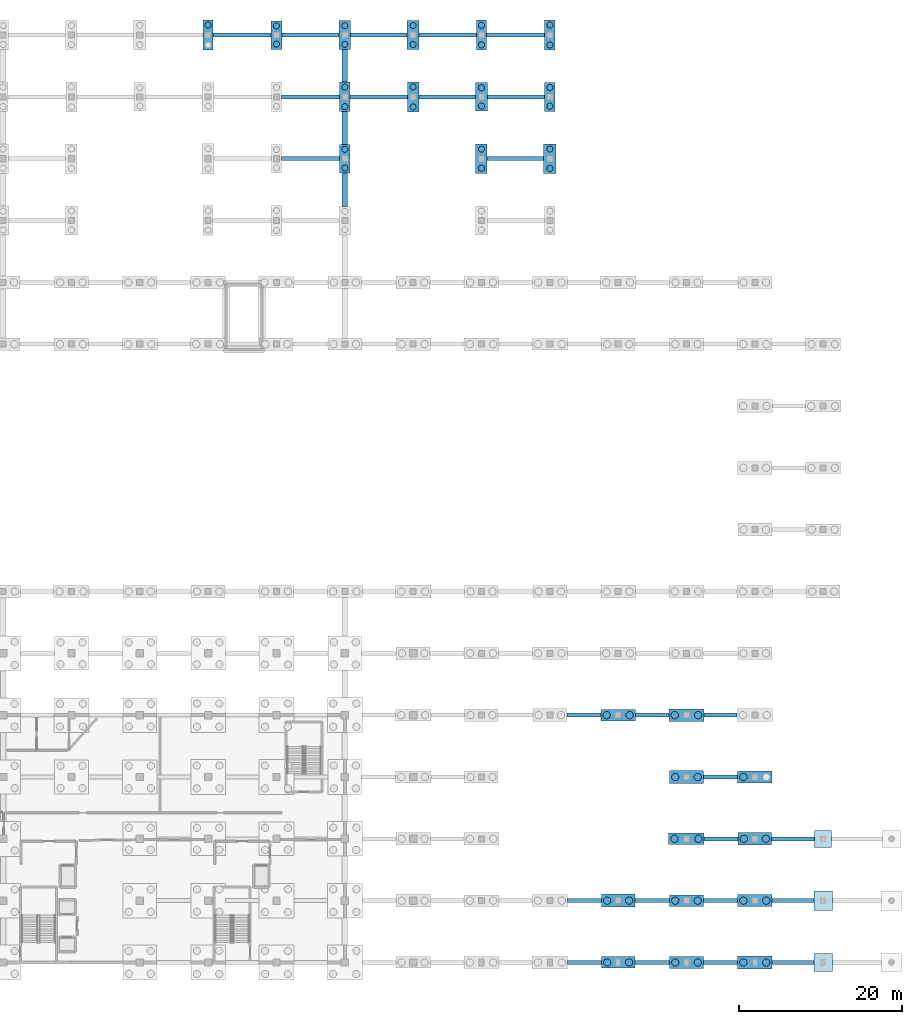
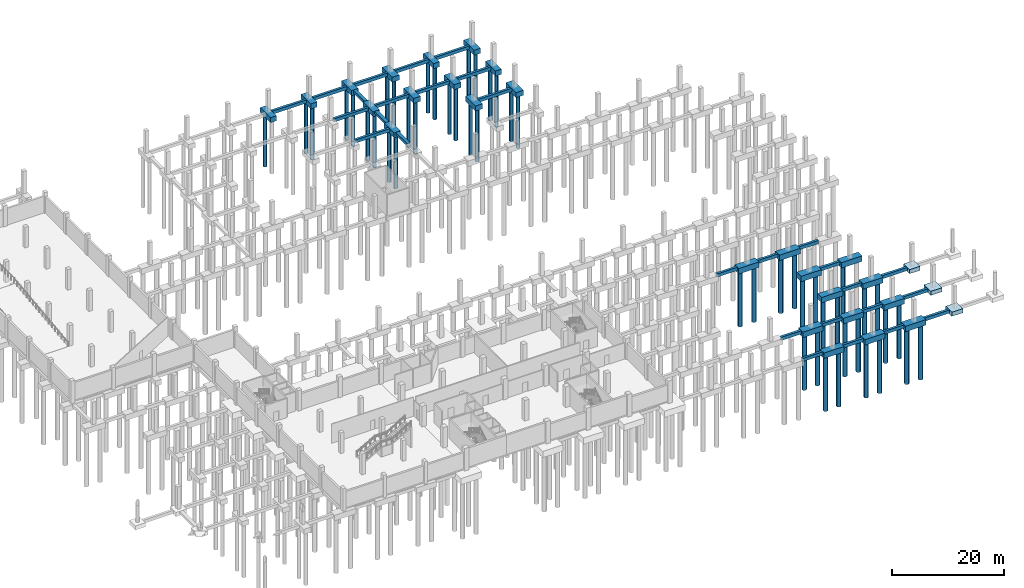
# One storey, part 8 of 22: 56 footings, 48 piles.
"""IFC4 building model written with IfcOpenShell, lengths in metres."""

from ifc_helpers import new_model, si_unit, direction, frame, origin, origin_2d, place, context, subcontext, project, spatial, rectangle, circle, extrude, material, material_profile, profile_set, type_object, element, save


model = new_model("IFC4")

# Units and contexts
model_context = context("Model", 3, precision=1e-05, world=origin(), true_north=direction((0.0, 1.0)))
body_context = subcontext(model_context, "Body", "Model", "MODEL_VIEW")
ifc_project = project(units=[si_unit("LENGTHUNIT", "METRE"), si_unit("AREAUNIT", "SQUARE_METRE"), si_unit("VOLUMEUNIT", "CUBIC_METRE"), si_unit("PLANEANGLEUNIT", "RADIAN"), si_unit("MASSUNIT", "GRAM", prefix="KILO")], contexts=[model_context])

# Site, building, storey
site_placement = place(None, origin())
site = spatial("IfcSite", under=ifc_project, at=site_placement, CompositionType="ELEMENT")
building_placement = place(site_placement, origin())
building = spatial("IfcBuilding", under=site, at=building_placement, Name="Zuvorla Pavilion Media Centre", CompositionType="ELEMENT")
storey_placement = place(building_placement, frame((0.0, 0.0, -4.5)))
storey = spatial("IfcBuildingStorey", under=building, at=storey_placement, Name="B01", CompositionType="ELEMENT", Elevation=-4.5)

# Footings
ifc_material = material(Name="Concrete C40/50", Category="concrete")
footing_type_1 = type_object("IfcFootingType", Name="FT-GB56", PredefinedType="FOOTING_BEAM", material=ifc_material)
footing_1_placement = place(storey_placement, frame((138.260009765625, 6.0, -1.10009765625), z_axis=(0.0, 0.0, 1.0), x_axis=(1.0, 0.0, 0.0)))
element("IfcFooting", 1, at=footing_1_placement, inside=storey, type_object=footing_type_1, Name="Ground beam GB56 14", PredefinedType="FOOTING_BEAM", context=body_context, shape_type="SweptSolid", body=[
    extrude(rectangle(XDim=4.159912109375, YDim=0.5, at=origin_2d()), origin(), (0.0, 0.0, 1.0), 0.699951171875),
])
footing_2_placement = place(storey_placement, frame((146.5849609375, 6.0, -1.10009765625), z_axis=(0.0, 0.0, 1.0), x_axis=(1.0, 0.0, 0.0)))
element("IfcFooting", 2, at=footing_2_placement, inside=storey, type_object=footing_type_1, Name="Ground beam GB56 15", PredefinedType="FOOTING_BEAM", context=body_context, shape_type="SweptSolid", body=[
    extrude(rectangle(XDim=4.25, YDim=0.5, at=origin_2d()), origin(), (0.0, 0.0, 1.0), 0.699951171875),
])
footing_3_placement = place(storey_placement, frame((154.985107421875, 6.0, -1.10009765625), z_axis=(0.0, 0.0, 1.0), x_axis=(1.0, 0.0, 0.0)))
element("IfcFooting", 3, at=footing_3_placement, inside=storey, type_object=footing_type_1, Name="Ground beam GB56 16", PredefinedType="FOOTING_BEAM", context=body_context, shape_type="SweptSolid", body=[
    extrude(rectangle(XDim=4.18994140625, YDim=0.5, at=origin_2d()), origin(), (0.0, 0.0, 1.0), 0.699951171875),
])
footing_4_placement = place(storey_placement, frame((163.885009765625, 6.0, -1.10009765625), z_axis=(0.0, 0.0, 1.0), x_axis=(1.0, 0.0, 0.0)))
element("IfcFooting", 4, at=footing_4_placement, inside=storey, type_object=footing_type_1, Name="Ground beam GB56 17", PredefinedType="FOOTING_BEAM", context=body_context, shape_type="SweptSolid", body=[
    extrude(rectangle(XDim=5.1298828125, YDim=0.5, at=origin_2d()), origin(), (0.0, 0.0, 1.0), 0.699951171875),
])
footing_5_placement = place(storey_placement, frame((138.260009765625, 13.60009765625, -1.10009765625), z_axis=(0.0, 0.0, 1.0), x_axis=(1.0, 0.0, 0.0)))
element("IfcFooting", 5, at=footing_5_placement, inside=storey, type_object=footing_type_1, Name="Ground beam GB56 32", PredefinedType="FOOTING_BEAM", context=body_context, shape_type="SweptSolid", body=[
    extrude(rectangle(XDim=4.159912109375, YDim=0.5, at=origin_2d()), origin(), (0.0, 0.0, 1.0), 0.699951171875),
])
footing_6_placement = place(storey_placement, frame((146.5849609375, 13.60009765625, -1.10009765625), z_axis=(0.0, 0.0, 1.0), x_axis=(1.0, 0.0, 0.0)))
element("IfcFooting", 6, at=footing_6_placement, inside=storey, type_object=footing_type_1, Name="Ground beam GB56 33", PredefinedType="FOOTING_BEAM", context=body_context, shape_type="SweptSolid", body=[
    extrude(rectangle(XDim=4.25, YDim=0.5, at=origin_2d()), origin(), (0.0, 0.0, 1.0), 0.699951171875),
])
footing_7_placement = place(storey_placement, frame((154.985107421875, 13.60009765625, -1.10009765625), z_axis=(0.0, 0.0, 1.0), x_axis=(1.0, 0.0, 0.0)))
element("IfcFooting", 7, at=footing_7_placement, inside=storey, type_object=footing_type_1, Name="Ground beam GB56 34", PredefinedType="FOOTING_BEAM", context=body_context, shape_type="SweptSolid", body=[
    extrude(rectangle(XDim=4.18994140625, YDim=0.5, at=origin_2d()), origin(), (0.0, 0.0, 1.0), 0.699951171875),
])
footing_8_placement = place(storey_placement, frame((163.885009765625, 13.60009765625, -1.10009765625), z_axis=(0.0, 0.0, 1.0), x_axis=(1.0, 0.0, 0.0)))
element("IfcFooting", 8, at=footing_8_placement, inside=storey, type_object=footing_type_1, Name="Ground beam GB56 35", PredefinedType="FOOTING_BEAM", context=body_context, shape_type="SweptSolid", body=[
    extrude(rectangle(XDim=5.1298828125, YDim=0.5, at=origin_2d()), origin(), (0.0, 0.0, 1.0), 0.699951171875),
])
footing_9_placement = place(storey_placement, frame((155.06005859375, 21.199951171875, -1.10009765625), z_axis=(0.0, 0.0, 1.0), x_axis=(1.0, 0.0, 0.0)))
element("IfcFooting", 9, at=footing_9_placement, inside=storey, type_object=footing_type_1, Name="Ground beam GB56 49", PredefinedType="FOOTING_BEAM", context=body_context, shape_type="SweptSolid", body=[
    extrude(rectangle(XDim=4.159912109375, YDim=0.5, at=origin_2d()), origin(), (0.0, 0.0, 1.0), 0.699951171875),
])
footing_10_placement = place(storey_placement, frame((163.905029296875, 21.199951171875, -1.10009765625), z_axis=(0.0, 0.0, 1.0), x_axis=(1.0, 0.0, 0.0)))
element("IfcFooting", 10, at=footing_10_placement, inside=storey, type_object=footing_type_1, Name="Ground beam GB56 50", PredefinedType="FOOTING_BEAM", context=body_context, shape_type="SweptSolid", body=[
    extrude(rectangle(XDim=5.2900390625, YDim=0.5, at=origin_2d()), origin(), (0.0, 0.0, 1.0), 0.699951171875),
])
for number, where, z_axis, x_axis, name in (
    (11, (154.985107421875, 28.800048828125, -1.10009765625), (0.0, 0.0, 1.0), (1.0, 0.0, 0.0), "Ground beam GB56 64"),
    (12, (138.18505859375, 36.39990234375, -1.10009765625), (0.0, 0.0, 1.0), (1.0, 0.0, 0.0), "Ground beam GB56 78"),
):
    element("IfcFooting", number, at=place(storey_placement, frame(where, z_axis=z_axis, x_axis=x_axis)), inside=storey, type_object=footing_type_1, Name=name, PredefinedType="FOOTING_BEAM", context=body_context, shape_type="SweptSolid", body=[
        extrude(rectangle(XDim=4.18994140625, YDim=0.5, at=origin_2d()), origin(), (0.0, 0.0, 1.0), 0.699951171875),
    ])
footing_11_placement = place(storey_placement, frame((146.5849609375, 36.39990234375, -1.10009765625), z_axis=(0.0, 0.0, 1.0), x_axis=(1.0, 0.0, 0.0)))
element("IfcFooting", 13, at=footing_11_placement, inside=storey, type_object=footing_type_1, Name="Ground beam GB56 79", PredefinedType="FOOTING_BEAM", context=body_context, shape_type="SweptSolid", body=[
    extrude(rectangle(XDim=4.1298828125, YDim=0.5, at=origin_2d()), origin(), (0.0, 0.0, 1.0), 0.699951171875),
])
footing_12_placement = place(storey_placement, frame((154.985107421875, 36.39990234375, -1.10009765625), z_axis=(0.0, 0.0, 1.0), x_axis=(1.0, 0.0, 0.0)))
element("IfcFooting", 14, at=footing_12_placement, inside=storey, type_object=footing_type_1, Name="Ground beam GB56 80", PredefinedType="FOOTING_BEAM", context=body_context, shape_type="SweptSolid", body=[
    extrude(rectangle(XDim=4.070068359375, YDim=0.5, at=origin_2d()), origin(), (0.0, 0.0, 1.0), 0.699951171875),
])
footing_13_placement = place(storey_placement, frame((104.580078125, 104.800048828125, -1.10009765625), z_axis=(0.0, 0.0, 1.0), x_axis=(1.0, 0.0, 0.0)))
element("IfcFooting", 15, at=footing_13_placement, inside=storey, type_object=footing_type_1, Name="Ground beam GB56 175", PredefinedType="FOOTING_BEAM", context=body_context, shape_type="SweptSolid", body=[
    extrude(rectangle(XDim=7.110107421875, YDim=0.5, at=origin_2d()), origin(), (0.0, 0.0, 1.0), 0.699951171875),
])
footing_14_placement = place(storey_placement, frame((129.780029296875, 104.800048828125, -1.10009765625), z_axis=(0.0, 0.0, 1.0), x_axis=(1.0, 0.0, 0.0)))
element("IfcFooting", 16, at=footing_14_placement, inside=storey, type_object=footing_type_1, Name="Ground beam GB56 176", PredefinedType="FOOTING_BEAM", context=body_context, shape_type="SweptSolid", body=[
    extrude(rectangle(XDim=6.949951171875, YDim=0.5, at=origin_2d()), origin(), (0.0, 0.0, 1.0), 0.699951171875),
])
footing_15_placement = place(storey_placement, frame((104.580078125, 112.39990234375, -1.10009765625), z_axis=(0.0, 0.0, 1.0), x_axis=(1.0, 0.0, 0.0)))
element("IfcFooting", 17, at=footing_15_placement, inside=storey, type_object=footing_type_1, Name="Ground beam GB56 184", PredefinedType="FOOTING_BEAM", context=body_context, shape_type="SweptSolid", body=[
    extrude(rectangle(XDim=7.110107421875, YDim=0.5, at=origin_2d()), origin(), (0.0, 0.0, 1.0), 0.699951171875),
])
footing_16_placement = place(storey_placement, frame((112.97998046875, 112.39990234375, -1.10009765625), z_axis=(0.0, 0.0, 1.0), x_axis=(1.0, 0.0, 0.0)))
element("IfcFooting", 18, at=footing_16_placement, inside=storey, type_object=footing_type_1, Name="Ground beam GB56 185", PredefinedType="FOOTING_BEAM", context=body_context, shape_type="SweptSolid", body=[
    extrude(rectangle(XDim=7.030029296875, YDim=0.5, at=origin_2d()), origin(), (0.0, 0.0, 1.0), 0.699951171875),
])
footing_17_placement = place(storey_placement, frame((121.3798828125, 112.39990234375, -1.10009765625), z_axis=(0.0, 0.0, 1.0), x_axis=(1.0, 0.0, 0.0)))
element("IfcFooting", 19, at=footing_17_placement, inside=storey, type_object=footing_type_1, Name="Ground beam GB56 186", PredefinedType="FOOTING_BEAM", context=body_context, shape_type="SweptSolid", body=[
    extrude(rectangle(XDim=6.949951171875, YDim=0.5, at=origin_2d()), origin(), (0.0, 0.0, 1.0), 0.699951171875),
])
footing_18_placement = place(storey_placement, frame((129.860107421875, 112.39990234375, -1.10009765625), z_axis=(0.0, 0.0, 1.0), x_axis=(1.0, 0.0, 0.0)))
element("IfcFooting", 20, at=footing_18_placement, inside=storey, type_object=footing_type_1, Name="Ground beam GB56 187", PredefinedType="FOOTING_BEAM", context=body_context, shape_type="SweptSolid", body=[
    extrude(rectangle(XDim=7.030029296875, YDim=0.5, at=origin_2d()), origin(), (0.0, 0.0, 1.0), 0.699951171875),
])
footing_19_placement = place(storey_placement, frame((96.179931640625, 120.0, -1.10009765625), z_axis=(0.0, 0.0, 1.0), x_axis=(1.0, 0.0, 0.0)))
element("IfcFooting", 21, at=footing_19_placement, inside=storey, type_object=footing_type_1, Name="Ground beam GB56 194", PredefinedType="FOOTING_BEAM", context=body_context, shape_type="SweptSolid", body=[
    extrude(rectangle(XDim=7.110107421875, YDim=0.5, at=origin_2d()), origin(), (0.0, 0.0, 1.0), 0.699951171875),
])
footing_20_placement = place(storey_placement, frame((104.580078125, 120.0, -1.10009765625), z_axis=(0.0, 0.0, 1.0), x_axis=(1.0, 0.0, 0.0)))
element("IfcFooting", 22, at=footing_20_placement, inside=storey, type_object=footing_type_1, Name="Ground beam GB56 195", PredefinedType="FOOTING_BEAM", context=body_context, shape_type="SweptSolid", body=[
    extrude(rectangle(XDim=7.030029296875, YDim=0.5, at=origin_2d()), origin(), (0.0, 0.0, 1.0), 0.699951171875),
])
footing_21_placement = place(storey_placement, frame((112.97998046875, 120.0, -1.10009765625), z_axis=(0.0, 0.0, 1.0), x_axis=(1.0, 0.0, 0.0)))
element("IfcFooting", 23, at=footing_21_placement, inside=storey, type_object=footing_type_1, Name="Ground beam GB56 196", PredefinedType="FOOTING_BEAM", context=body_context, shape_type="SweptSolid", body=[
    extrude(rectangle(XDim=6.949951171875, YDim=0.5, at=origin_2d()), origin(), (0.0, 0.0, 1.0), 0.699951171875),
])
footing_22_placement = place(storey_placement, frame((121.4599609375, 120.0, -1.10009765625), z_axis=(0.0, 0.0, 1.0), x_axis=(1.0, 0.0, 0.0)))
element("IfcFooting", 24, at=footing_22_placement, inside=storey, type_object=footing_type_1, Name="Ground beam GB56 197", PredefinedType="FOOTING_BEAM", context=body_context, shape_type="SweptSolid", body=[
    extrude(rectangle(XDim=7.030029296875, YDim=0.5, at=origin_2d()), origin(), (0.0, 0.0, 1.0), 0.699951171875),
])
footing_23_placement = place(storey_placement, frame((129.780029296875, 120.0, -1.10009765625), z_axis=(0.0, 0.0, 1.0), x_axis=(1.0, 0.0, 0.0)))
element("IfcFooting", 25, at=footing_23_placement, inside=storey, type_object=footing_type_1, Name="Ground beam GB56 198", PredefinedType="FOOTING_BEAM", context=body_context, shape_type="SweptSolid", body=[
    extrude(rectangle(XDim=7.110107421875, YDim=0.5, at=origin_2d()), origin(), (0.0, 0.0, 1.0), 0.699951171875),
])
footing_type_2 = type_object("IfcFootingType", Name="FT-PC03", PredefinedType="PILE_CAP", material=ifc_material)
footing_24_placement = place(storey_placement, frame((125.60009765625, 104.800048828125, -1.5), z_axis=(0.0, 0.0, 1.0), x_axis=(1.0, 0.0, 0.0)))
element("IfcFooting", 26, at=footing_24_placement, inside=storey, type_object=footing_type_2, Name="Pile cap PC03", PredefinedType="PILE_CAP", context=body_context, shape_type="SweptSolid", body=[
    extrude(rectangle(XDim=1.409912109375, YDim=3.60009765625, at=origin_2d()), origin(), (0.0, 0.0, 1.0), 1.10009765625),
])
footing_type_3 = type_object("IfcFootingType", Name="FT-PC04", PredefinedType="PILE_CAP", material=ifc_material)
footing_25_placement = place(storey_placement, frame((134.0, 104.800048828125, -1.5), z_axis=(0.0, 0.0, 1.0), x_axis=(1.0, 0.0, 0.0)))
element("IfcFooting", 27, at=footing_25_placement, inside=storey, type_object=footing_type_3, Name="Pile cap PC04", PredefinedType="PILE_CAP", context=body_context, shape_type="SweptSolid", body=[
    extrude(rectangle(XDim=1.489990234375, YDim=3.64990234375, at=origin_2d()), origin(), (0.0, 0.0, 1.0), 1.10009765625),
])
footing_type_4 = type_object("IfcFootingType", Name="FT-PC06", PredefinedType="PILE_CAP", material=ifc_material)
footing_26_placement = place(storey_placement, frame((142.39990234375, 13.60009765625, -1.60009765625), z_axis=(0.0, 0.0, 1.0), x_axis=(1.0, 0.0, 0.0)))
element("IfcFooting", 28, at=footing_26_placement, inside=storey, type_object=footing_type_4, Name="Pile cap PC06", PredefinedType="PILE_CAP", context=body_context, shape_type="SweptSolid", body=[
    extrude(rectangle(XDim=4.1201171875, YDim=1.580078125, at=origin_2d()), origin(), (0.0, 0.0, 1.0), 1.199951171875),
])
footing_type_5 = type_object("IfcFootingType", Name="FT-PC07", PredefinedType="PILE_CAP", material=ifc_material)
footing_27_placement = place(storey_placement, frame((150.800048828125, 13.60009765625, -1.60009765625), z_axis=(0.0, 0.0, 1.0), x_axis=(1.0, 0.0, 0.0)))
element("IfcFooting", 29, at=footing_27_placement, inside=storey, type_object=footing_type_5, Name="Pile cap PC07", PredefinedType="PILE_CAP", context=body_context, shape_type="SweptSolid", body=[
    extrude(rectangle(XDim=4.179931640625, YDim=1.419921875, at=origin_2d()), origin(), (0.0, 0.0, 1.0), 1.199951171875),
])
footing_type_6 = type_object("IfcFootingType", Name="FT-PC13", PredefinedType="PILE_CAP", material=ifc_material)
for number, where, z_axis, x_axis, name in (
    (30, (159.199951171875, 28.800048828125, -1.60009765625), (0.0, 0.0, 1.0), (1.0, 0.0, 0.0), "Pile cap PC13"),
    (31, (142.39990234375, 36.39990234375, -1.60009765625), (0.0, 0.0, 1.0), (1.0, 0.0, 0.0), "Pile cap PC13"),
):
    element("IfcFooting", number, at=place(storey_placement, frame(where, z_axis=z_axis, x_axis=x_axis)), inside=storey, type_object=footing_type_6, Name=name, PredefinedType="PILE_CAP", context=body_context, shape_type="SweptSolid", body=[
        extrude(rectangle(XDim=4.239990234375, YDim=1.419921875, at=origin_2d()), origin(), (0.0, 0.0, 1.0), 1.199951171875),
    ])
footing_type_7 = type_object("IfcFootingType", Name="FT-PC14", PredefinedType="PILE_CAP", material=ifc_material)
footing_28_placement = place(storey_placement, frame((150.800048828125, 36.39990234375, -1.60009765625), z_axis=(0.0, 0.0, 1.0), x_axis=(1.0, 0.0, 0.0)))
element("IfcFooting", 32, at=footing_28_placement, inside=storey, type_object=footing_type_7, Name="Pile cap PC14", PredefinedType="PILE_CAP", context=body_context, shape_type="SweptSolid", body=[
    extrude(rectangle(XDim=4.300048828125, YDim=1.5, at=origin_2d()), origin(), (0.0, 0.0, 1.0), 1.199951171875),
])
footing_type_8 = type_object("IfcFootingType", Name="FT-PC16", PredefinedType="PILE_CAP", material=ifc_material)
footing_29_placement = place(storey_placement, frame((142.39990234375, 6.0, -1.60009765625), z_axis=(0.0, 0.0, 1.0), x_axis=(1.0, 0.0, 0.0)))
element("IfcFooting", 33, at=footing_29_placement, inside=storey, type_object=footing_type_8, Name="Pile cap PC16", PredefinedType="PILE_CAP", context=body_context, shape_type="SweptSolid", body=[
    extrude(rectangle(XDim=4.1201171875, YDim=1.419921875, at=origin_2d()), origin(), (0.0, 0.0, 1.0), 1.199951171875),
])
footing_type_9 = type_object("IfcFootingType", Name="FT-PC17", PredefinedType="PILE_CAP", material=ifc_material)
footing_30_placement = place(storey_placement, frame((150.800048828125, 6.0, -1.60009765625), z_axis=(0.0, 0.0, 1.0), x_axis=(1.0, 0.0, 0.0)))
element("IfcFooting", 34, at=footing_30_placement, inside=storey, type_object=footing_type_9, Name="Pile cap PC17", PredefinedType="PILE_CAP", context=body_context, shape_type="SweptSolid", body=[
    extrude(rectangle(XDim=4.179931640625, YDim=1.5, at=origin_2d()), origin(), (0.0, 0.0, 1.0), 1.199951171875),
])
footing_type_10 = type_object("IfcFootingType", Name="FT-PC18", PredefinedType="PILE_CAP", material=ifc_material)
footing_31_placement = place(storey_placement, frame((159.199951171875, 6.0, -1.60009765625), z_axis=(0.0, 0.0, 1.0), x_axis=(1.0, 0.0, 0.0)))
element("IfcFooting", 35, at=footing_31_placement, inside=storey, type_object=footing_type_10, Name="Pile cap PC18", PredefinedType="PILE_CAP", context=body_context, shape_type="SweptSolid", body=[
    extrude(rectangle(XDim=4.239990234375, YDim=1.580078125, at=origin_2d()), origin(), (0.0, 0.0, 1.0), 1.199951171875),
])
footing_type_11 = type_object("IfcFootingType", Name="FT-PC23", PredefinedType="PILE_CAP", material=ifc_material)
footing_32_placement = place(storey_placement, frame((150.800048828125, 21.199951171875, -1.60009765625), z_axis=(0.0, 0.0, 1.0), x_axis=(1.0, 0.0, 0.0)))
element("IfcFooting", 36, at=footing_32_placement, inside=storey, type_object=footing_type_11, Name="Pile cap PC23", PredefinedType="PILE_CAP", context=body_context, shape_type="SweptSolid", body=[
    extrude(rectangle(XDim=4.360107421875, YDim=1.419921875, at=origin_2d()), origin(), (0.0, 0.0, 1.0), 1.199951171875),
])
footing_type_12 = type_object("IfcFootingType", Name="FT-PC24", PredefinedType="PILE_CAP", material=ifc_material)
footing_33_placement = place(storey_placement, frame((159.199951171875, 21.199951171875, -1.60009765625), z_axis=(0.0, 0.0, 1.0), x_axis=(1.0, 0.0, 0.0)))
element("IfcFooting", 37, at=footing_33_placement, inside=storey, type_object=footing_type_12, Name="Pile cap PC24", PredefinedType="PILE_CAP", context=body_context, shape_type="SweptSolid", body=[
    extrude(rectangle(XDim=4.1201171875, YDim=1.5, at=origin_2d()), origin(), (0.0, 0.0, 1.0), 1.199951171875),
])
footing_type_13 = type_object("IfcFootingType", Name="FT-PC25", PredefinedType="PILE_CAP", material=ifc_material)
footing_34_placement = place(storey_placement, frame((150.800048828125, 28.800048828125, -1.60009765625), z_axis=(0.0, 0.0, 1.0), x_axis=(1.0, 0.0, 0.0)))
element("IfcFooting", 38, at=footing_34_placement, inside=storey, type_object=footing_type_13, Name="Pile cap PC25", PredefinedType="PILE_CAP", context=body_context, shape_type="SweptSolid", body=[
    extrude(rectangle(XDim=4.179931640625, YDim=1.580078125, at=origin_2d()), origin(), (0.0, 0.0, 1.0), 1.199951171875),
])
footing_type_14 = type_object("IfcFootingType", Name="FT-PC31", PredefinedType="PILE_CAP", material=ifc_material)
footing_35_placement = place(storey_placement, frame((159.199951171875, 13.60009765625, -1.60009765625), z_axis=(0.0, 0.0, 1.0), x_axis=(1.0, 0.0, 0.0)))
element("IfcFooting", 39, at=footing_35_placement, inside=storey, type_object=footing_type_14, Name="Pile cap PC31", PredefinedType="PILE_CAP", context=body_context, shape_type="SweptSolid", body=[
    extrude(rectangle(XDim=4.239990234375, YDim=1.5, at=origin_2d()), origin(), (0.0, 0.0, 1.0), 1.199951171875),
])
footing_type_15 = type_object("IfcFootingType", Name="FT-PC40", PredefinedType="PILE_CAP", material=ifc_material)
footing_36_placement = place(storey_placement, frame((108.800048828125, 112.39990234375, -1.5), z_axis=(0.0, 0.0, 1.0), x_axis=(1.0, 0.0, 0.0)))
element("IfcFooting", 40, at=footing_36_placement, inside=storey, type_object=footing_type_15, Name="Pile cap PC40", PredefinedType="PILE_CAP", context=body_context, shape_type="SweptSolid", body=[
    extrude(rectangle(XDim=1.330078125, YDim=3.64990234375, at=origin_2d()), origin(), (0.0, 0.0, 1.0), 1.10009765625),
])
footing_type_16 = type_object("IfcFootingType", Name="FT-PC41", PredefinedType="PILE_CAP", material=ifc_material)
footing_37_placement = place(storey_placement, frame((117.199951171875, 112.39990234375, -1.5), z_axis=(0.0, 0.0, 1.0), x_axis=(1.0, 0.0, 0.0)))
element("IfcFooting", 41, at=footing_37_placement, inside=storey, type_object=footing_type_16, Name="Pile cap PC41", PredefinedType="PILE_CAP", context=body_context, shape_type="SweptSolid", body=[
    extrude(rectangle(XDim=1.409912109375, YDim=3.699951171875, at=origin_2d()), origin(), (0.0, 0.0, 1.0), 1.10009765625),
])
footing_type_17 = type_object("IfcFootingType", Name="FT-PC42", PredefinedType="PILE_CAP", material=ifc_material)
footing_38_placement = place(storey_placement, frame((125.60009765625, 120.0, -1.5), z_axis=(0.0, 0.0, 1.0), x_axis=(1.0, 0.0, 0.0)))
element("IfcFooting", 42, at=footing_38_placement, inside=storey, type_object=footing_type_17, Name="Pile cap PC42", PredefinedType="PILE_CAP", context=body_context, shape_type="SweptSolid", body=[
    extrude(rectangle(XDim=1.25, YDim=3.64990234375, at=origin_2d()), origin(), (0.0, 0.0, 1.0), 1.10009765625),
])
footing_type_18 = type_object("IfcFootingType", Name="FT-PC43", PredefinedType="PILE_CAP", material=ifc_material)
footing_39_placement = place(storey_placement, frame((134.0, 120.0, -1.5), z_axis=(0.0, 0.0, 1.0), x_axis=(1.0, 0.0, 0.0)))
element("IfcFooting", 43, at=footing_39_placement, inside=storey, type_object=footing_type_18, Name="Pile cap PC43", PredefinedType="PILE_CAP", context=body_context, shape_type="SweptSolid", body=[
    extrude(rectangle(XDim=1.330078125, YDim=3.699951171875, at=origin_2d()), origin(), (0.0, 0.0, 1.0), 1.10009765625),
])
footing_type_19 = type_object("IfcFootingType", Name="FT-PC45", PredefinedType="PILE_CAP", material=ifc_material)
footing_40_placement = place(storey_placement, frame((125.60009765625, 112.39990234375, -1.5), z_axis=(0.0, 0.0, 1.0), x_axis=(1.0, 0.0, 0.0)))
element("IfcFooting", 44, at=footing_40_placement, inside=storey, type_object=footing_type_19, Name="Pile cap PC45", PredefinedType="PILE_CAP", context=body_context, shape_type="SweptSolid", body=[
    extrude(rectangle(XDim=1.489990234375, YDim=3.5, at=origin_2d()), origin(), (0.0, 0.0, 1.0), 1.10009765625),
])
footing_type_20 = type_object("IfcFootingType", Name="FT-PC46", PredefinedType="PILE_CAP", material=ifc_material)
footing_41_placement = place(storey_placement, frame((134.0, 112.39990234375, -1.5), z_axis=(0.0, 0.0, 1.0), x_axis=(1.0, 0.0, 0.0)))
element("IfcFooting", 45, at=footing_41_placement, inside=storey, type_object=footing_type_20, Name="Pile cap PC46", PredefinedType="PILE_CAP", context=body_context, shape_type="SweptSolid", body=[
    extrude(rectangle(XDim=1.25, YDim=3.550048828125, at=origin_2d()), origin(), (0.0, 0.0, 1.0), 1.10009765625),
])
footing_type_21 = type_object("IfcFootingType", Name="FT-PC47", PredefinedType="PILE_CAP", material=ifc_material)
footing_42_placement = place(storey_placement, frame((108.800048828125, 104.800048828125, -1.5), z_axis=(0.0, 0.0, 1.0), x_axis=(1.0, 0.0, 0.0)))
element("IfcFooting", 46, at=footing_42_placement, inside=storey, type_object=footing_type_21, Name="Pile cap PC47", PredefinedType="PILE_CAP", context=body_context, shape_type="SweptSolid", body=[
    extrude(rectangle(XDim=1.330078125, YDim=3.550048828125, at=origin_2d()), origin(), (0.0, 0.0, 1.0), 1.10009765625),
])
footing_type_22 = type_object("IfcFootingType", Name="FT-PC48", PredefinedType="PILE_CAP", material=ifc_material)
footing_43_placement = place(storey_placement, frame((92.0, 120.0, -1.5), z_axis=(0.0, 0.0, 1.0), x_axis=(1.0, 0.0, 0.0)))
element("IfcFooting", 47, at=footing_43_placement, inside=storey, type_object=footing_type_22, Name="Pile cap PC48", PredefinedType="PILE_CAP", context=body_context, shape_type="SweptSolid", body=[
    extrude(rectangle(XDim=1.25, YDim=3.699951171875, at=origin_2d()), origin(), (0.0, 0.0, 1.0), 1.10009765625),
])
footing_type_23 = type_object("IfcFootingType", Name="FT-PC49", PredefinedType="PILE_CAP", material=ifc_material)
footing_44_placement = place(storey_placement, frame((100.39990234375, 120.0, -1.5), z_axis=(0.0, 0.0, 1.0), x_axis=(1.0, 0.0, 0.0)))
element("IfcFooting", 48, at=footing_44_placement, inside=storey, type_object=footing_type_23, Name="Pile cap PC49", PredefinedType="PILE_CAP", context=body_context, shape_type="SweptSolid", body=[
    extrude(rectangle(XDim=1.330078125, YDim=3.5, at=origin_2d()), origin(), (0.0, 0.0, 1.0), 1.10009765625),
])
footing_type_24 = type_object("IfcFootingType", Name="FT-PC50", PredefinedType="PILE_CAP", material=ifc_material)
footing_45_placement = place(storey_placement, frame((108.800048828125, 120.0, -1.5), z_axis=(0.0, 0.0, 1.0), x_axis=(1.0, 0.0, 0.0)))
element("IfcFooting", 49, at=footing_45_placement, inside=storey, type_object=footing_type_24, Name="Pile cap PC50", PredefinedType="PILE_CAP", context=body_context, shape_type="SweptSolid", body=[
    extrude(rectangle(XDim=1.409912109375, YDim=3.550048828125, at=origin_2d()), origin(), (0.0, 0.0, 1.0), 1.10009765625),
])
footing_type_25 = type_object("IfcFootingType", Name="FT-PC51", PredefinedType="PILE_CAP", material=ifc_material)
footing_46_placement = place(storey_placement, frame((117.199951171875, 120.0, -1.5), z_axis=(0.0, 0.0, 1.0), x_axis=(1.0, 0.0, 0.0)))
element("IfcFooting", 50, at=footing_46_placement, inside=storey, type_object=footing_type_25, Name="Pile cap PC51", PredefinedType="PILE_CAP", context=body_context, shape_type="SweptSolid", body=[
    extrude(rectangle(XDim=1.489990234375, YDim=3.60009765625, at=origin_2d()), origin(), (0.0, 0.0, 1.0), 1.10009765625),
])
footing_type_26 = type_object("IfcFootingType", Name="FT-PF01", PredefinedType="PAD_FOOTING", material=ifc_material)
footing_47_placement = place(storey_placement, frame((167.60009765625, 21.199951171875, -1.300048828125), z_axis=(0.0, 0.0, 1.0), x_axis=(1.0, 0.0, 0.0)))
element("IfcFooting", 51, at=footing_47_placement, inside=storey, type_object=footing_type_26, Name="Pad footing PF01", PredefinedType="PAD_FOOTING", context=body_context, shape_type="SweptSolid", body=[
    extrude(rectangle(XDim=2.10009765625, YDim=2.10009765625, at=origin_2d()), origin(), (0.0, 0.0, 1.0), 0.89990234375),
])
footing_type_27 = type_object("IfcFootingType", Name="FT-PF19", PredefinedType="PAD_FOOTING", material=ifc_material)
footing_48_placement = place(storey_placement, frame((167.60009765625, 6.0, -1.300048828125), z_axis=(0.0, 0.0, 1.0), x_axis=(1.0, 0.0, 0.0)))
element("IfcFooting", 52, at=footing_48_placement, inside=storey, type_object=footing_type_27, Name="Pad footing PF19", PredefinedType="PAD_FOOTING", context=body_context, shape_type="SweptSolid", body=[
    extrude(rectangle(XDim=2.300048828125, YDim=2.199951171875, at=origin_2d()), origin(), (0.0, 0.0, 1.0), 0.89990234375),
])
footing_type_28 = type_object("IfcFootingType", Name="FT-PF32", PredefinedType="PAD_FOOTING", material=ifc_material)
footing_49_placement = place(storey_placement, frame((167.60009765625, 13.60009765625, -1.300048828125), z_axis=(0.0, 0.0, 1.0), x_axis=(1.0, 0.0, 0.0)))
element("IfcFooting", 53, at=footing_49_placement, inside=storey, type_object=footing_type_28, Name="Pad footing PF32", PredefinedType="PAD_FOOTING", context=body_context, shape_type="SweptSolid", body=[
    extrude(rectangle(XDim=2.300048828125, YDim=2.39990234375, at=origin_2d()), origin(), (0.0, 0.0, 1.0), 0.89990234375),
])
footing_type_29 = type_object("IfcFootingType", Name="FT-SF57", PredefinedType="STRIP_FOOTING", material=ifc_material)
footing_50_placement = place(storey_placement, frame((108.800048828125, 100.987548828125, -1.0), z_axis=(0.0, 0.0, 1.0), x_axis=(0.0, 1.0, 0.0)))
element("IfcFooting", 54, at=footing_50_placement, inside=storey, type_object=footing_type_29, Name="Strip footing SF57 46", PredefinedType="STRIP_FOOTING", context=body_context, shape_type="SweptSolid", body=[
    extrude(rectangle(XDim=4.074951171875, YDim=0.64990234375, at=origin_2d()), origin(), (0.0, 0.0, 1.0), 0.60009765625),
])
for number, where, z_axis, x_axis, name in (
    (55, (108.800048828125, 108.574951171875, -1.0), (0.0, 0.0, 1.0), (0.0, 1.0, 0.0), "Strip footing SF57 47"),
    (56, (108.800048828125, 116.22509765625, -1.0), (0.0, 0.0, 1.0), (0.0, 1.0, 0.0), "Strip footing SF57 48"),
):
    element("IfcFooting", number, at=place(storey_placement, frame(where, z_axis=z_axis, x_axis=x_axis)), inside=storey, type_object=footing_type_29, Name=name, PredefinedType="STRIP_FOOTING", context=body_context, shape_type="SweptSolid", body=[
        extrude(rectangle(XDim=4.0, YDim=0.64990234375, at=origin_2d()), origin(), (0.0, 0.0, 1.0), 0.60009765625),
    ])

# Piles
ifc_material_profile_1 = material_profile(ifc_material, circle(Radius=0.375, at=origin_2d()), Name="BORED PILE 750")
ifc_profile_set_1 = profile_set([ifc_material_profile_1], Name="Concrete C40/50")
pile_type_1 = type_object("IfcPileType", Name="PIL-D750", PredefinedType="BORED", material=ifc_profile_set_1)
for number, where, z_axis, x_axis, name in (
    (57, (108.800048828125, 103.64990234375, -1.39990234375), (0.0, 0.0, -1.0), (1.0, 0.0, 0.0), "Bored pile P75 463"),
    (58, (108.800048828125, 105.949951171875, -1.39990234375), (0.0, 0.0, -1.0), (1.0, 0.0, 0.0), "Bored pile P75 464"),
    (59, (125.60009765625, 103.625, -1.39990234375), (0.0, 0.0, -1.0), (1.0, 0.0, 0.0), "Bored pile P75 465"),
    (60, (125.60009765625, 105.97509765625, -1.39990234375), (0.0, 0.0, -1.0), (1.0, 0.0, 0.0), "Bored pile P75 466"),
    (61, (134.0, 103.60009765625, -1.39990234375), (0.0, 0.0, -1.0), (1.0, 0.0, 0.0), "Bored pile P75 467"),
    (62, (134.0, 106.0, -1.39990234375), (0.0, 0.0, -1.0), (1.0, 0.0, 0.0), "Bored pile P75 468"),
    (63, (108.800048828125, 111.199951171875, -1.39990234375), (0.0, 0.0, -1.0), (1.0, 0.0, 0.0), "Bored pile P75 485"),
    (64, (108.800048828125, 113.60009765625, -1.39990234375), (0.0, 0.0, -1.0), (1.0, 0.0, 0.0), "Bored pile P75 486"),
    (65, (117.199951171875, 111.175048828125, -1.39990234375), (0.0, 0.0, -1.0), (1.0, 0.0, 0.0), "Bored pile P75 487"),
    (66, (117.199951171875, 113.625, -1.39990234375), (0.0, 0.0, -1.0), (1.0, 0.0, 0.0), "Bored pile P75 488"),
    (67, (125.60009765625, 111.27490234375, -1.39990234375), (0.0, 0.0, -1.0), (1.0, 0.0, 0.0), "Bored pile P75 489"),
    (68, (125.60009765625, 113.52490234375, -1.39990234375), (0.0, 0.0, -1.0), (1.0, 0.0, 0.0), "Bored pile P75 490"),
    (69, (134.0, 111.25, -1.39990234375), (0.0, 0.0, -1.0), (1.0, 0.0, 0.0), "Bored pile P75 491"),
    (70, (134.0, 113.550048828125, -1.39990234375), (0.0, 0.0, -1.0), (1.0, 0.0, 0.0), "Bored pile P75 492"),
    (71, (92.0, 121.22509765625, -1.39990234375), (0.0, 0.0, -1.0), (1.0, 0.0, 0.0), "Bored pile P75 506"),
    (72, (100.39990234375, 118.875, -1.39990234375), (0.0, 0.0, -1.0), (1.0, 0.0, 0.0), "Bored pile P75 507"),
    (73, (100.39990234375, 121.125, -1.39990234375), (0.0, 0.0, -1.0), (1.0, 0.0, 0.0), "Bored pile P75 508"),
    (74, (108.800048828125, 118.85009765625, -1.39990234375), (0.0, 0.0, -1.0), (1.0, 0.0, 0.0), "Bored pile P75 509"),
    (75, (108.800048828125, 121.14990234375, -1.39990234375), (0.0, 0.0, -1.0), (1.0, 0.0, 0.0), "Bored pile P75 510"),
    (76, (117.199951171875, 118.824951171875, -1.39990234375), (0.0, 0.0, -1.0), (1.0, 0.0, 0.0), "Bored pile P75 511"),
    (77, (117.199951171875, 121.175048828125, -1.39990234375), (0.0, 0.0, -1.0), (1.0, 0.0, 0.0), "Bored pile P75 512"),
    (78, (125.60009765625, 118.800048828125, -1.39990234375), (0.0, 0.0, -1.0), (1.0, 0.0, 0.0), "Bored pile P75 513"),
    (79, (125.60009765625, 121.199951171875, -1.39990234375), (0.0, 0.0, -1.0), (1.0, 0.0, 0.0), "Bored pile P75 514"),
    (80, (134.0, 118.77490234375, -1.39990234375), (0.0, 0.0, -1.0), (1.0, 0.0, 0.0), "Bored pile P75 515"),
    (81, (134.0, 121.22509765625, -1.39990234375), (0.0, 0.0, -1.0), (1.0, 0.0, 0.0), "Bored pile P75 516"),
):
    element("IfcPile", number, at=place(storey_placement, frame(where, z_axis=z_axis, x_axis=x_axis)), inside=storey, type_object=pile_type_1, Name=name, PredefinedType="BORED", context=body_context, shape_type="SweptSolid", body=[
        extrude(circle(Radius=0.375, at=origin_2d()), origin(), (0.0, 0.0, 1.0), 11.60009765625),
    ])
ifc_material_profile_2 = material_profile(ifc_material, circle(Radius=0.449951171875, at=origin_2d()), Name="BORED PILE 900")
ifc_profile_set_2 = profile_set([ifc_material_profile_2], Name="Concrete C40/50")
pile_type_2 = type_object("IfcPileType", Name="PIL-D900", PredefinedType="BORED", material=ifc_profile_set_2)
for number, where, z_axis, x_axis, name in (
    (82, (141.050048828125, 6.0, -1.5), (0.0, 0.0, -1.0), (1.0, 0.0, 0.0), "Bored pile P90 37"),
    (83, (143.75, 6.0, -1.5), (0.0, 0.0, -1.0), (1.0, 0.0, 0.0), "Bored pile P90 38"),
    (84, (149.419921875, 6.0, -1.5), (0.0, 0.0, -1.0), (1.0, 0.0, 0.0), "Bored pile P90 39"),
    (85, (152.179931640625, 6.0, -1.5), (0.0, 0.0, -1.0), (1.0, 0.0, 0.0), "Bored pile P90 40"),
    (86, (157.7900390625, 6.0, -1.5), (0.0, 0.0, -1.0), (1.0, 0.0, 0.0), "Bored pile P90 41"),
    (87, (160.610107421875, 6.0, -1.5), (0.0, 0.0, -1.0), (1.0, 0.0, 0.0), "Bored pile P90 42"),
    (88, (141.050048828125, 13.60009765625, -1.5), (0.0, 0.0, -1.0), (1.0, 0.0, 0.0), "Bored pile P90 79"),
    (89, (143.75, 13.60009765625, -1.5), (0.0, 0.0, -1.0), (1.0, 0.0, 0.0), "Bored pile P90 80"),
    (90, (149.419921875, 13.60009765625, -1.5), (0.0, 0.0, -1.0), (1.0, 0.0, 0.0), "Bored pile P90 81"),
    (91, (152.179931640625, 13.60009765625, -1.5), (0.0, 0.0, -1.0), (1.0, 0.0, 0.0), "Bored pile P90 82"),
    (92, (157.7900390625, 13.60009765625, -1.5), (0.0, 0.0, -1.0), (1.0, 0.0, 0.0), "Bored pile P90 83"),
    (93, (160.610107421875, 13.60009765625, -1.5), (0.0, 0.0, -1.0), (1.0, 0.0, 0.0), "Bored pile P90 84"),
    (94, (149.330078125, 21.199951171875, -1.5), (0.0, 0.0, -1.0), (1.0, 0.0, 0.0), "Bored pile P90 125"),
    (95, (152.27001953125, 21.199951171875, -1.5), (0.0, 0.0, -1.0), (1.0, 0.0, 0.0), "Bored pile P90 126"),
    (96, (157.85009765625, 21.199951171875, -1.5), (0.0, 0.0, -1.0), (1.0, 0.0, 0.0), "Bored pile P90 127"),
    (97, (160.550048828125, 21.199951171875, -1.5), (0.0, 0.0, -1.0), (1.0, 0.0, 0.0), "Bored pile P90 128"),
    (98, (149.419921875, 28.800048828125, -1.5), (0.0, 0.0, -1.0), (1.0, 0.0, 0.0), "Bored pile P90 173"),
    (99, (152.179931640625, 28.800048828125, -1.5), (0.0, 0.0, -1.0), (1.0, 0.0, 0.0), "Bored pile P90 174"),
    (100, (157.7900390625, 28.800048828125, -1.5), (0.0, 0.0, -1.0), (1.0, 0.0, 0.0), "Bored pile P90 175"),
    (101, (140.989990234375, 36.39990234375, -1.5), (0.0, 0.0, -1.0), (1.0, 0.0, 0.0), "Bored pile P90 223"),
    (102, (143.81005859375, 36.39990234375, -1.5), (0.0, 0.0, -1.0), (1.0, 0.0, 0.0), "Bored pile P90 224"),
    (103, (149.360107421875, 36.39990234375, -1.5), (0.0, 0.0, -1.0), (1.0, 0.0, 0.0), "Bored pile P90 225"),
    (104, (152.239990234375, 36.39990234375, -1.5), (0.0, 0.0, -1.0), (1.0, 0.0, 0.0), "Bored pile P90 226"),
):
    element("IfcPile", number, at=place(storey_placement, frame(where, z_axis=z_axis, x_axis=x_axis)), inside=storey, type_object=pile_type_2, Name=name, PredefinedType="BORED", context=body_context, shape_type="SweptSolid", body=[
        extrude(circle(Radius=0.449951171875, at=origin_2d()), origin(), (0.0, 0.0, 1.0), 12.0),
    ])

save(model, "model.ifc")
